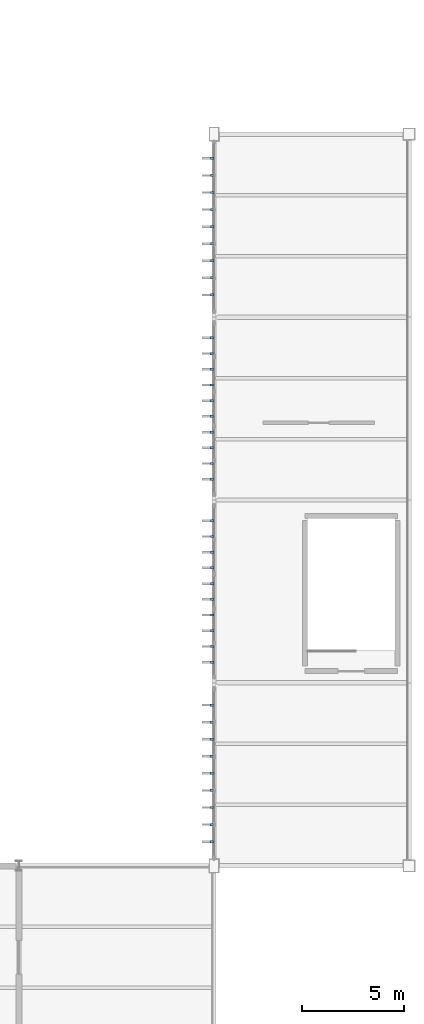
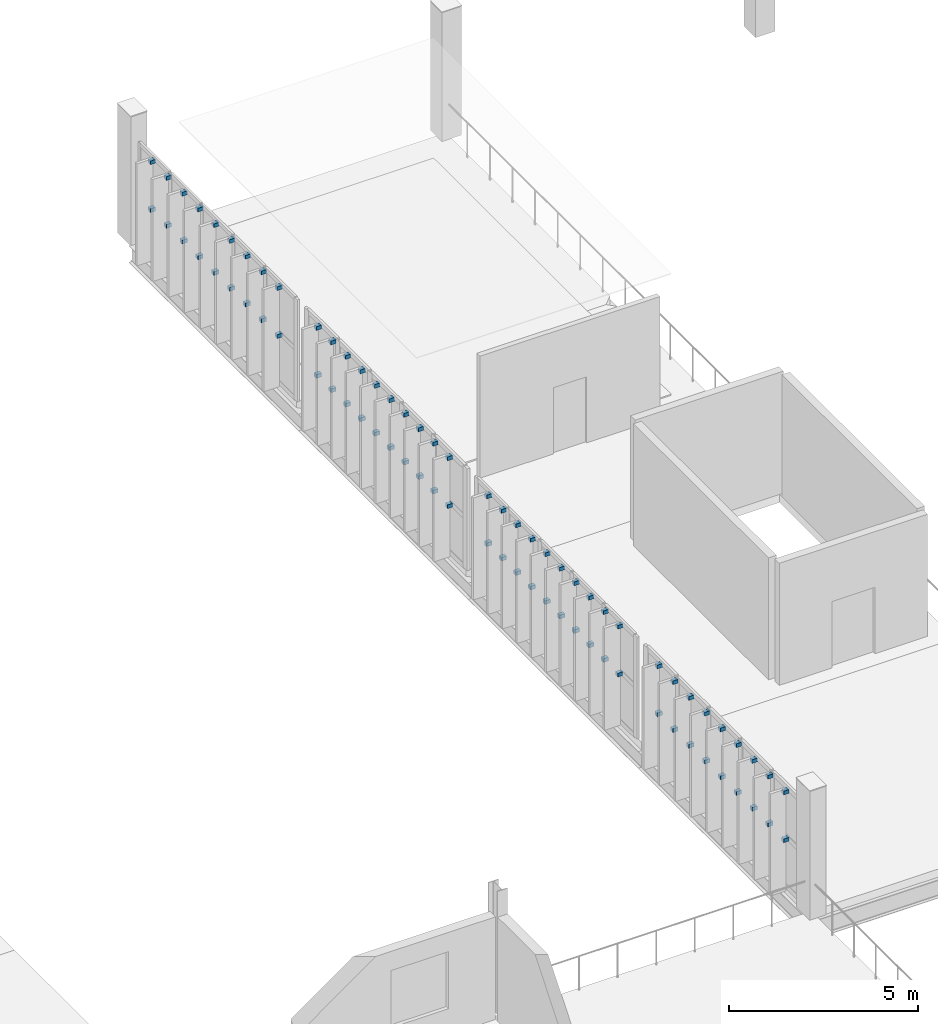
# One storey, part 74 of 82: 76 discrete accessories.
"""IFC4 building model written with IfcOpenShell, lengths in metres."""

from ifc_helpers import new_model, si_unit, direction, frame, origin, origin_2d, place, context, subcontext, project, spatial, rectangle, extrude, material, type_object, element, save


model = new_model("IFC4")

# Units and contexts
model_context = context("Model", 3, precision=1e-05, world=origin(), true_north=direction((0.0, 1.0)))
body_context = subcontext(model_context, "Body", "Model", "MODEL_VIEW")
ifc_project = project(units=[si_unit("LENGTHUNIT", "METRE"), si_unit("AREAUNIT", "SQUARE_METRE"), si_unit("VOLUMEUNIT", "CUBIC_METRE"), si_unit("PLANEANGLEUNIT", "RADIAN"), si_unit("MASSUNIT", "GRAM", prefix="KILO")], contexts=[model_context])

# Site, building, storey
site_placement = place(None, origin())
site = spatial("IfcSite", under=ifc_project, at=site_placement, CompositionType="ELEMENT")
building_placement = place(site_placement, origin())
building = spatial("IfcBuilding", under=site, at=building_placement, Name="Zarnetskaya Central Station", CompositionType="ELEMENT")
storey_placement = place(building_placement, frame((0.0, 0.0, 10.199951171875)))
storey = spatial("IfcBuildingStorey", under=building, at=storey_placement, Name="L02", CompositionType="ELEMENT", Elevation=10.199951171875)

# Discrete accessories
ifc_material = material(Name="Steel S355", Category="steel")
discrete_accessory_type = type_object("IfcDiscreteAccessoryType", Name="ACC-FIN-BRACKET", PredefinedType="BRACKET", material=ifc_material)
for number, where, z_axis, x_axis, name in (
    (1, (57.489990234375, 23.389892578125, 1.590087890625), (0.0, 0.0, 1.0), (0.0, 1.0, 0.0), "Timber blade lower fixing bracket CW-L02-088-01"),
    (2, (57.489990234375, 23.389892578125, 3.139892578125), (0.0, 0.0, 1.0), (0.0, 1.0, 0.0), "Timber blade upper fixing bracket CW-L02-088-01"),
    (3, (57.489990234375, 24.22998046875, 1.590087890625), (0.0, 0.0, 1.0), (0.0, 1.0, 0.0), "Timber blade lower fixing bracket CW-L02-088-02"),
    (4, (57.489990234375, 24.22998046875, 3.139892578125), (0.0, 0.0, 1.0), (0.0, 1.0, 0.0), "Timber blade upper fixing bracket CW-L02-088-02"),
    (5, (57.489990234375, 25.070068359375, 1.590087890625), (0.0, 0.0, 1.0), (0.0, 1.0, 0.0), "Timber blade lower fixing bracket CW-L02-088-03"),
    (6, (57.489990234375, 25.070068359375, 3.139892578125), (0.0, 0.0, 1.0), (0.0, 1.0, 0.0), "Timber blade upper fixing bracket CW-L02-088-03"),
    (7, (57.489990234375, 25.909912109375, 1.590087890625), (0.0, 0.0, 1.0), (0.0, 1.0, 0.0), "Timber blade lower fixing bracket CW-L02-088-04"),
    (8, (57.489990234375, 25.909912109375, 3.139892578125), (0.0, 0.0, 1.0), (0.0, 1.0, 0.0), "Timber blade upper fixing bracket CW-L02-088-04"),
    (9, (57.489990234375, 26.75, 1.590087890625), (0.0, 0.0, 1.0), (0.0, 1.0, 0.0), "Timber blade lower fixing bracket CW-L02-088-05"),
    (10, (57.489990234375, 26.75, 3.139892578125), (0.0, 0.0, 1.0), (0.0, 1.0, 0.0), "Timber blade upper fixing bracket CW-L02-088-05"),
    (11, (57.489990234375, 27.590087890625, 1.590087890625), (0.0, 0.0, 1.0), (0.0, 1.0, 0.0), "Timber blade lower fixing bracket CW-L02-088-06"),
    (12, (57.489990234375, 27.590087890625, 3.139892578125), (0.0, 0.0, 1.0), (0.0, 1.0, 0.0), "Timber blade upper fixing bracket CW-L02-088-06"),
    (13, (57.489990234375, 28.429931640625, 1.590087890625), (0.0, 0.0, 1.0), (0.0, 1.0, 0.0), "Timber blade lower fixing bracket CW-L02-088-07"),
    (14, (57.489990234375, 28.429931640625, 3.139892578125), (0.0, 0.0, 1.0), (0.0, 1.0, 0.0), "Timber blade upper fixing bracket CW-L02-088-07"),
    (15, (57.489990234375, 29.27001953125, 1.590087890625), (0.0, 0.0, 1.0), (0.0, 1.0, 0.0), "Timber blade lower fixing bracket CW-L02-088-08"),
    (16, (57.489990234375, 29.27001953125, 3.139892578125), (0.0, 0.0, 1.0), (0.0, 1.0, 0.0), "Timber blade upper fixing bracket CW-L02-088-08"),
    (17, (57.489990234375, 30.110107421875, 1.590087890625), (0.0, 0.0, 1.0), (0.0, 1.0, 0.0), "Timber blade lower fixing bracket CW-L02-088-09"),
    (18, (57.489990234375, 30.110107421875, 3.139892578125), (0.0, 0.0, 1.0), (0.0, 1.0, 0.0), "Timber blade upper fixing bracket CW-L02-088-09"),
    (19, (57.510009765625, 32.22265625, 1.590087890625), (0.0, 0.0, 1.0), (0.0, 1.0, 0.0), "Timber blade lower fixing bracket CW-L02-091-01"),
    (20, (57.510009765625, 32.22265625, 3.139892578125), (0.0, 0.0, 1.0), (0.0, 1.0, 0.0), "Timber blade upper fixing bracket CW-L02-091-01"),
    (21, (57.510009765625, 32.995361328125, 1.590087890625), (0.0, 0.0, 1.0), (0.0, 1.0, 0.0), "Timber blade lower fixing bracket CW-L02-091-02"),
    (22, (57.510009765625, 32.995361328125, 3.139892578125), (0.0, 0.0, 1.0), (0.0, 1.0, 0.0), "Timber blade upper fixing bracket CW-L02-091-02"),
    (23, (57.510009765625, 33.76806640625, 1.590087890625), (0.0, 0.0, 1.0), (0.0, 1.0, 0.0), "Timber blade lower fixing bracket CW-L02-091-03"),
    (24, (57.510009765625, 33.76806640625, 3.139892578125), (0.0, 0.0, 1.0), (0.0, 1.0, 0.0), "Timber blade upper fixing bracket CW-L02-091-03"),
    (25, (57.510009765625, 34.541015625, 1.590087890625), (0.0, 0.0, 1.0), (0.0, 1.0, 0.0), "Timber blade lower fixing bracket CW-L02-091-04"),
    (26, (57.510009765625, 34.541015625, 3.139892578125), (0.0, 0.0, 1.0), (0.0, 1.0, 0.0), "Timber blade upper fixing bracket CW-L02-091-04"),
    (27, (57.510009765625, 35.313720703125, 1.590087890625), (0.0, 0.0, 1.0), (0.0, 1.0, 0.0), "Timber blade lower fixing bracket CW-L02-091-05"),
    (28, (57.510009765625, 35.313720703125, 3.139892578125), (0.0, 0.0, 1.0), (0.0, 1.0, 0.0), "Timber blade upper fixing bracket CW-L02-091-05"),
    (29, (57.510009765625, 36.08642578125, 1.590087890625), (0.0, 0.0, 1.0), (0.0, 1.0, 0.0), "Timber blade lower fixing bracket CW-L02-091-06"),
    (30, (57.510009765625, 36.08642578125, 3.139892578125), (0.0, 0.0, 1.0), (0.0, 1.0, 0.0), "Timber blade upper fixing bracket CW-L02-091-06"),
    (31, (57.510009765625, 36.859130859375, 1.590087890625), (0.0, 0.0, 1.0), (0.0, 1.0, 0.0), "Timber blade lower fixing bracket CW-L02-091-07"),
    (32, (57.510009765625, 36.859130859375, 3.139892578125), (0.0, 0.0, 1.0), (0.0, 1.0, 0.0), "Timber blade upper fixing bracket CW-L02-091-07"),
    (33, (57.510009765625, 37.6318359375, 1.590087890625), (0.0, 0.0, 1.0), (0.0, 1.0, 0.0), "Timber blade lower fixing bracket CW-L02-091-08"),
    (34, (57.510009765625, 37.6318359375, 3.139892578125), (0.0, 0.0, 1.0), (0.0, 1.0, 0.0), "Timber blade upper fixing bracket CW-L02-091-08"),
    (35, (57.510009765625, 38.404541015625, 1.590087890625), (0.0, 0.0, 1.0), (0.0, 1.0, 0.0), "Timber blade lower fixing bracket CW-L02-091-09"),
    (36, (57.510009765625, 38.404541015625, 3.139892578125), (0.0, 0.0, 1.0), (0.0, 1.0, 0.0), "Timber blade upper fixing bracket CW-L02-091-09"),
    (37, (57.510009765625, 39.17724609375, 1.590087890625), (0.0, 0.0, 1.0), (0.0, 1.0, 0.0), "Timber blade lower fixing bracket CW-L02-091-10"),
    (38, (57.510009765625, 39.17724609375, 3.139892578125), (0.0, 0.0, 1.0), (0.0, 1.0, 0.0), "Timber blade upper fixing bracket CW-L02-091-10"),
    (39, (57.489990234375, 41.22265625, 1.590087890625), (0.0, 0.0, 1.0), (0.0, 1.0, 0.0), "Timber blade lower fixing bracket CW-L02-094-01"),
    (40, (57.489990234375, 41.22265625, 3.139892578125), (0.0, 0.0, 1.0), (0.0, 1.0, 0.0), "Timber blade upper fixing bracket CW-L02-094-01"),
    (41, (57.489990234375, 41.995361328125, 1.590087890625), (0.0, 0.0, 1.0), (0.0, 1.0, 0.0), "Timber blade lower fixing bracket CW-L02-094-02"),
    (42, (57.489990234375, 41.995361328125, 3.139892578125), (0.0, 0.0, 1.0), (0.0, 1.0, 0.0), "Timber blade upper fixing bracket CW-L02-094-02"),
    (43, (57.489990234375, 42.76806640625, 1.590087890625), (0.0, 0.0, 1.0), (0.0, 1.0, 0.0), "Timber blade lower fixing bracket CW-L02-094-03"),
    (44, (57.489990234375, 42.76806640625, 3.139892578125), (0.0, 0.0, 1.0), (0.0, 1.0, 0.0), "Timber blade upper fixing bracket CW-L02-094-03"),
    (45, (57.489990234375, 43.541015625, 1.590087890625), (0.0, 0.0, 1.0), (0.0, 1.0, 0.0), "Timber blade lower fixing bracket CW-L02-094-04"),
    (46, (57.489990234375, 43.541015625, 3.139892578125), (0.0, 0.0, 1.0), (0.0, 1.0, 0.0), "Timber blade upper fixing bracket CW-L02-094-04"),
    (47, (57.489990234375, 44.313720703125, 1.590087890625), (0.0, 0.0, 1.0), (0.0, 1.0, 0.0), "Timber blade lower fixing bracket CW-L02-094-05"),
    (48, (57.489990234375, 44.313720703125, 3.139892578125), (0.0, 0.0, 1.0), (0.0, 1.0, 0.0), "Timber blade upper fixing bracket CW-L02-094-05"),
    (49, (57.489990234375, 45.08642578125, 1.590087890625), (0.0, 0.0, 1.0), (0.0, 1.0, 0.0), "Timber blade lower fixing bracket CW-L02-094-06"),
    (50, (57.489990234375, 45.08642578125, 3.139892578125), (0.0, 0.0, 1.0), (0.0, 1.0, 0.0), "Timber blade upper fixing bracket CW-L02-094-06"),
    (51, (57.489990234375, 45.859130859375, 1.590087890625), (0.0, 0.0, 1.0), (0.0, 1.0, 0.0), "Timber blade lower fixing bracket CW-L02-094-07"),
    (52, (57.489990234375, 45.859130859375, 3.139892578125), (0.0, 0.0, 1.0), (0.0, 1.0, 0.0), "Timber blade upper fixing bracket CW-L02-094-07"),
    (53, (57.489990234375, 46.6318359375, 1.590087890625), (0.0, 0.0, 1.0), (0.0, 1.0, 0.0), "Timber blade lower fixing bracket CW-L02-094-08"),
    (54, (57.489990234375, 46.6318359375, 3.139892578125), (0.0, 0.0, 1.0), (0.0, 1.0, 0.0), "Timber blade upper fixing bracket CW-L02-094-08"),
    (55, (57.489990234375, 47.404541015625, 1.590087890625), (0.0, 0.0, 1.0), (0.0, 1.0, 0.0), "Timber blade lower fixing bracket CW-L02-094-09"),
    (56, (57.489990234375, 47.404541015625, 3.139892578125), (0.0, 0.0, 1.0), (0.0, 1.0, 0.0), "Timber blade upper fixing bracket CW-L02-094-09"),
    (57, (57.489990234375, 48.17724609375, 1.590087890625), (0.0, 0.0, 1.0), (0.0, 1.0, 0.0), "Timber blade lower fixing bracket CW-L02-094-10"),
    (58, (57.489990234375, 48.17724609375, 3.139892578125), (0.0, 0.0, 1.0), (0.0, 1.0, 0.0), "Timber blade upper fixing bracket CW-L02-094-10"),
    (59, (57.510009765625, 50.2900390625, 1.590087890625), (0.0, 0.0, 1.0), (0.0, 1.0, 0.0), "Timber blade lower fixing bracket CW-L02-097-01"),
    (60, (57.510009765625, 50.2900390625, 3.139892578125), (0.0, 0.0, 1.0), (0.0, 1.0, 0.0), "Timber blade upper fixing bracket CW-L02-097-01"),
    (61, (57.510009765625, 51.1298828125, 1.590087890625), (0.0, 0.0, 1.0), (0.0, 1.0, 0.0), "Timber blade lower fixing bracket CW-L02-097-02"),
    (62, (57.510009765625, 51.1298828125, 3.139892578125), (0.0, 0.0, 1.0), (0.0, 1.0, 0.0), "Timber blade upper fixing bracket CW-L02-097-02"),
    (63, (57.510009765625, 51.969970703125, 1.590087890625), (0.0, 0.0, 1.0), (0.0, 1.0, 0.0), "Timber blade lower fixing bracket CW-L02-097-03"),
    (64, (57.510009765625, 51.969970703125, 3.139892578125), (0.0, 0.0, 1.0), (0.0, 1.0, 0.0), "Timber blade upper fixing bracket CW-L02-097-03"),
    (65, (57.510009765625, 52.81005859375, 1.590087890625), (0.0, 0.0, 1.0), (0.0, 1.0, 0.0), "Timber blade lower fixing bracket CW-L02-097-04"),
    (66, (57.510009765625, 52.81005859375, 3.139892578125), (0.0, 0.0, 1.0), (0.0, 1.0, 0.0), "Timber blade upper fixing bracket CW-L02-097-04"),
    (67, (57.510009765625, 53.64990234375, 1.590087890625), (0.0, 0.0, 1.0), (0.0, 1.0, 0.0), "Timber blade lower fixing bracket CW-L02-097-05"),
    (68, (57.510009765625, 53.64990234375, 3.139892578125), (0.0, 0.0, 1.0), (0.0, 1.0, 0.0), "Timber blade upper fixing bracket CW-L02-097-05"),
    (69, (57.510009765625, 54.489990234375, 1.590087890625), (0.0, 0.0, 1.0), (0.0, 1.0, 0.0), "Timber blade lower fixing bracket CW-L02-097-06"),
    (70, (57.510009765625, 54.489990234375, 3.139892578125), (0.0, 0.0, 1.0), (0.0, 1.0, 0.0), "Timber blade upper fixing bracket CW-L02-097-06"),
    (71, (57.510009765625, 55.330078125, 1.590087890625), (0.0, 0.0, 1.0), (0.0, 1.0, 0.0), "Timber blade lower fixing bracket CW-L02-097-07"),
    (72, (57.510009765625, 55.330078125, 3.139892578125), (0.0, 0.0, 1.0), (0.0, 1.0, 0.0), "Timber blade upper fixing bracket CW-L02-097-07"),
    (73, (57.510009765625, 56.169921875, 1.590087890625), (0.0, 0.0, 1.0), (0.0, 1.0, 0.0), "Timber blade lower fixing bracket CW-L02-097-08"),
    (74, (57.510009765625, 56.169921875, 3.139892578125), (0.0, 0.0, 1.0), (0.0, 1.0, 0.0), "Timber blade upper fixing bracket CW-L02-097-08"),
    (75, (57.510009765625, 57.010009765625, 1.590087890625), (0.0, 0.0, 1.0), (0.0, 1.0, 0.0), "Timber blade lower fixing bracket CW-L02-097-09"),
    (76, (57.510009765625, 57.010009765625, 3.139892578125), (0.0, 0.0, 1.0), (0.0, 1.0, 0.0), "Timber blade upper fixing bracket CW-L02-097-09"),
):
    element("IfcDiscreteAccessory", number, at=place(storey_placement, frame(where, z_axis=z_axis, x_axis=x_axis)), inside=storey, type_object=discrete_accessory_type, Name=name, PredefinedType="BRACKET", context=body_context, shape_type="SweptSolid", body=[
        extrude(rectangle(XDim=0.1201171875, YDim=0.159912109375, at=origin_2d()), origin(), (0.0, 0.0, 1.0), 0.1201171875),
    ])

save(model, "model.ifc")
